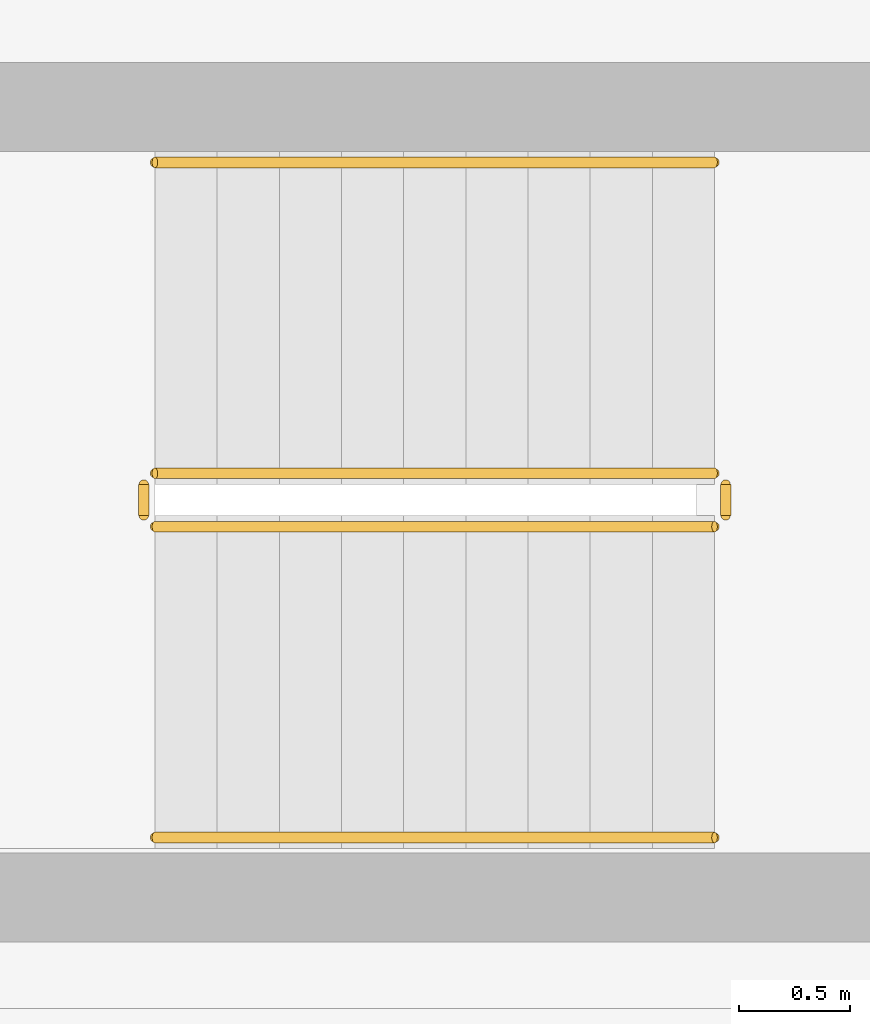
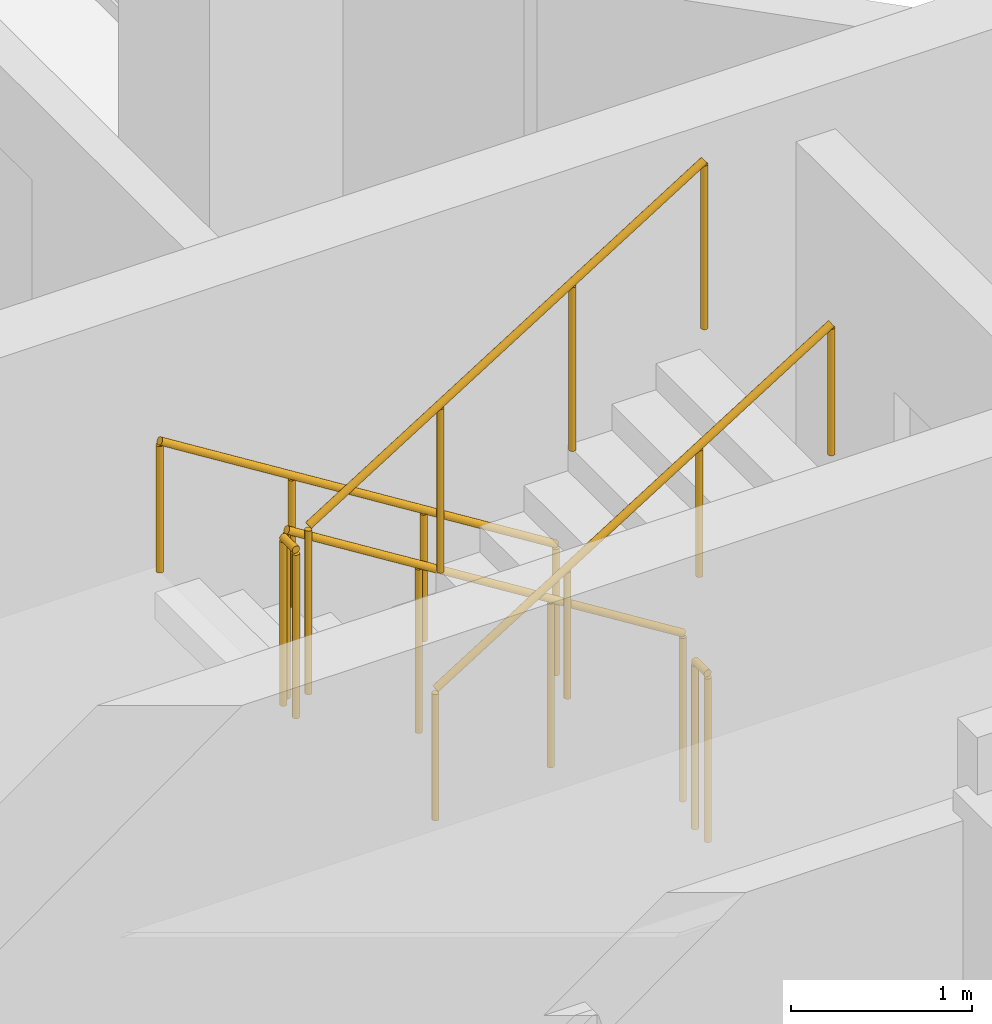
# One storey, part 22 of 26: 6 railings.
"""IFC4 building model written with IfcOpenShell, lengths in metres."""

from ifc_helpers import new_model, si_unit, derived_unit, direction, frame, origin, origin_2d, place, context, subcontext, project, spatial, circle, extrude, material, type_object, element, save


model = new_model("IFC4")

# Units and contexts
model_context = context("Model", 3, precision=1e-05, world=origin(), true_north=direction((0.0, 1.0)))
body_context = subcontext(model_context, "Body", "Model", "MODEL_VIEW")
ifc_project = project(units=[si_unit("LENGTHUNIT", "METRE"), si_unit("AREAUNIT", "SQUARE_METRE"), si_unit("VOLUMEUNIT", "CUBIC_METRE"), si_unit("PLANEANGLEUNIT", "RADIAN"), si_unit("MASSUNIT", "GRAM", prefix="KILO"), derived_unit("THERMALTRANSMITTANCEUNIT", [(si_unit("POWERUNIT", "WATT"), 1), (si_unit("LENGTHUNIT", "METRE"), -2), (si_unit("THERMODYNAMICTEMPERATUREUNIT", "KELVIN"), -1)])], contexts=[model_context])

# Site, building, storey
site_placement = place(None, origin())
site = spatial("IfcSite", under=ifc_project, at=site_placement, CompositionType="ELEMENT")
building_placement = place(site_placement, origin())
building = spatial("IfcBuilding", under=site, at=building_placement, Name="Kivonza Crest Hotel", CompositionType="ELEMENT")
storey_placement = place(building_placement, frame((0.0, 0.0, 116.0)))
storey = spatial("IfcBuildingStorey", under=building, at=storey_placement, Name="L31", CompositionType="ELEMENT", Elevation=116.0)

# Railings
ifc_material_1 = material(Name="Brushed stainless steel handrail", Category="steel")
railing_type_1 = type_object("IfcRailingType", Name="RL-HAND-900", PredefinedType="HANDRAIL", material=ifc_material_1)
railing_1_placement = place(storey_placement, frame((12.239990234375, 16.949951171875, 0.175048828125)))
element("IfcRailing", 1, at=railing_1_placement, inside=storey, type_object=railing_type_1, Name="L31 ST-T1-S stair handrail 1", PredefinedType="HANDRAIL", context=body_context, shape_type="SweptSolid", body=[
    extrude(circle(Radius=0.02392578125, at=origin_2d()), frame((0.0, 0.0, 0.8759765625), z_axis=(-0.848007534815, 0.0, 0.529984170421), x_axis=(0.0, -1.0, 0.0)), (0.0, 0.0, 1.0), 2.9716796875),
    extrude(circle(Radius=0.02099609375, at=origin_2d()), origin(), (0.0, 0.0, 1.0), 0.851806640625),
    extrude(circle(Radius=0.02099609375, at=origin_2d()), frame((-0.840087890625, 0.0, 0.52490234375)), (0.0, 0.0, 1.0), 0.851806640625),
    extrude(circle(Radius=0.02099609375, at=origin_2d()), frame((-1.679931640625, 0.0, 1.050048828125)), (0.0, 0.0, 1.0), 0.851806640625),
    extrude(circle(Radius=0.02099609375, at=origin_2d()), frame((-2.52001953125, 0.0, 1.574951171875)), (0.0, 0.0, 1.0), 0.851806640625),
])
railing_2_placement = place(storey_placement, frame((9.719970703125, 13.909912109375, 1.925048828125)))
element("IfcRailing", 2, at=railing_2_placement, inside=storey, type_object=railing_type_1, Name="L31 ST-T1-S stair handrail 2", PredefinedType="HANDRAIL", context=body_context, shape_type="SweptSolid", body=[
    extrude(circle(Radius=0.02392578125, at=origin_2d()), frame((0.0, 0.0, 0.8759765625), z_axis=(0.848007534815, 0.0, 0.529984170421), x_axis=(0.0, 1.0, 0.0)), (0.0, 0.0, 1.0), 2.9716796875),
    extrude(circle(Radius=0.02099609375, at=origin_2d()), origin(), (0.0, 0.0, 1.0), 0.851806640625),
    extrude(circle(Radius=0.02099609375, at=origin_2d()), frame((0.840087890625, 0.0, 0.52490234375)), (0.0, 0.0, 1.0), 0.851806640625),
    extrude(circle(Radius=0.02099609375, at=origin_2d()), frame((1.679931640625, 0.0, 1.050048828125)), (0.0, 0.0, 1.0), 0.851806640625),
    extrude(circle(Radius=0.02099609375, at=origin_2d()), frame((2.52001953125, 0.0, 1.574951171875)), (0.0, 0.0, 1.0), 0.851806640625),
])
ifc_material_2 = material(Name="Painted steel balustrade", Category="steel")
railing_type_2 = type_object("IfcRailingType", Name="RL-STAIR-1150", PredefinedType="BALUSTRADE", material=ifc_material_2)
railing_3_placement = place(storey_placement, frame((12.239990234375, 15.550048828125, 0.175048828125)))
element("IfcRailing", 3, at=railing_3_placement, inside=storey, type_object=railing_type_2, Name="L31 ST-T1-S stair guard 1", PredefinedType="BALUSTRADE", context=body_context, shape_type="SweptSolid", body=[
    extrude(circle(Radius=0.02392578125, at=origin_2d()), frame((0.0, 0.0, 1.1259765625), z_axis=(-0.848007534815, 0.0, 0.529984170421), x_axis=(0.0, -1.0, 0.0)), (0.0, 0.0, 1.0), 2.9716796875),
    extrude(circle(Radius=0.02099609375, at=origin_2d()), origin(), (0.0, 0.0, 1.0), 1.101806640625),
    extrude(circle(Radius=0.02099609375, at=origin_2d()), frame((-0.840087890625, 0.0, 0.52490234375)), (0.0, 0.0, 1.0), 1.101806640625),
    extrude(circle(Radius=0.02099609375, at=origin_2d()), frame((-1.679931640625, 0.0, 1.050048828125)), (0.0, 0.0, 1.0), 1.101806640625),
    extrude(circle(Radius=0.02099609375, at=origin_2d()), frame((-2.52001953125, 0.0, 1.574951171875)), (0.0, 0.0, 1.0), 1.101806640625),
])
railing_4_placement = place(storey_placement, frame((9.669921875, 15.5, 1.75)))
element("IfcRailing", 4, at=railing_4_placement, inside=storey, type_object=railing_type_2, Name="L31 ST-T1-S stair guard 2", PredefinedType="BALUSTRADE", context=body_context, shape_type="SweptSolid", body=[
    extrude(circle(Radius=0.02392578125, at=origin_2d()), frame((0.0, 0.0, 1.1259765625), z_axis=(0.0, -1.0, 0.0), x_axis=(1.0, 0.0, 0.0)), (0.0, 0.0, 1.0), 0.139892578125),
    extrude(circle(Radius=0.02099609375, at=origin_2d()), origin(), (0.0, 0.0, 1.0), 1.101806640625),
    extrude(circle(Radius=0.02099609375, at=origin_2d()), frame((0.0, -0.139892578125, 0.0)), (0.0, 0.0, 1.0), 1.101806640625),
])
railing_5_placement = place(storey_placement, frame((9.719970703125, 15.31005859375, 1.925048828125)))
element("IfcRailing", 5, at=railing_5_placement, inside=storey, type_object=railing_type_2, Name="L31 ST-T1-S stair guard 3", PredefinedType="BALUSTRADE", context=body_context, shape_type="SweptSolid", body=[
    extrude(circle(Radius=0.02392578125, at=origin_2d()), frame((0.0, 0.0, 1.1259765625), z_axis=(0.848007534815, 0.0, 0.529984170421), x_axis=(0.0, 1.0, 0.0)), (0.0, 0.0, 1.0), 2.9716796875),
    extrude(circle(Radius=0.02099609375, at=origin_2d()), origin(), (0.0, 0.0, 1.0), 1.101806640625),
    extrude(circle(Radius=0.02099609375, at=origin_2d()), frame((0.840087890625, 0.0, 0.52490234375)), (0.0, 0.0, 1.0), 1.101806640625),
    extrude(circle(Radius=0.02099609375, at=origin_2d()), frame((1.679931640625, 0.0, 1.050048828125)), (0.0, 0.0, 1.0), 1.101806640625),
    extrude(circle(Radius=0.02099609375, at=origin_2d()), frame((2.52001953125, 0.0, 1.574951171875)), (0.0, 0.0, 1.0), 1.101806640625),
])
railing_6_placement = place(storey_placement, frame((12.2900390625, 15.5, 0.0)))
element("IfcRailing", 6, at=railing_6_placement, inside=storey, type_object=railing_type_2, Name="L31 ST-T1-S stair guard 4", PredefinedType="BALUSTRADE", context=body_context, shape_type="SweptSolid", body=[
    extrude(circle(Radius=0.02392578125, at=origin_2d()), frame((0.0, 0.0, 1.1259765625), z_axis=(0.0, -1.0, 0.0), x_axis=(1.0, 0.0, 0.0)), (0.0, 0.0, 1.0), 0.139892578125),
    extrude(circle(Radius=0.02099609375, at=origin_2d()), origin(), (0.0, 0.0, 1.0), 1.101806640625),
    extrude(circle(Radius=0.02099609375, at=origin_2d()), frame((0.0, -0.139892578125, 0.0)), (0.0, 0.0, 1.0), 1.101806640625),
])

save(model, "model.ifc")
